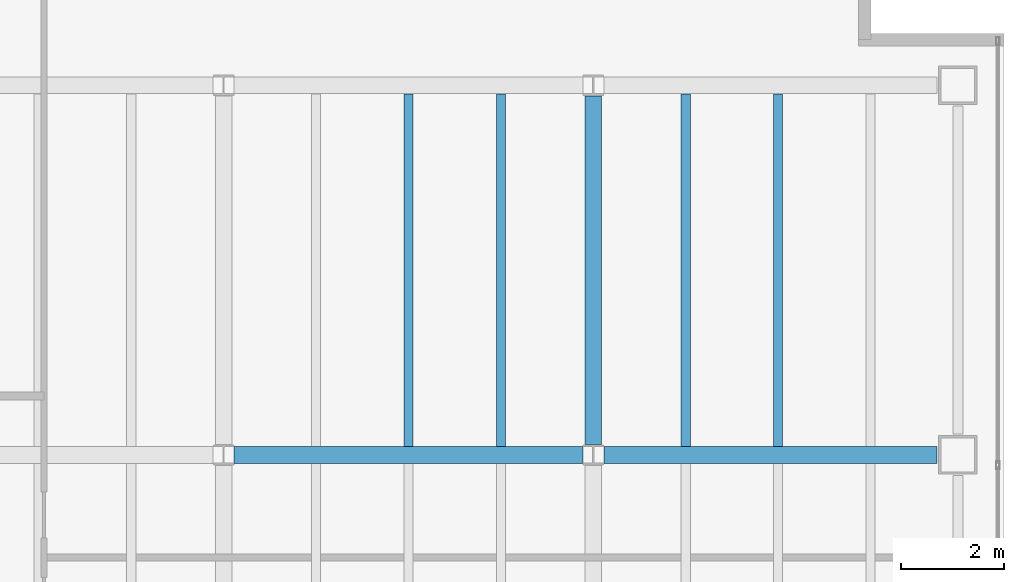
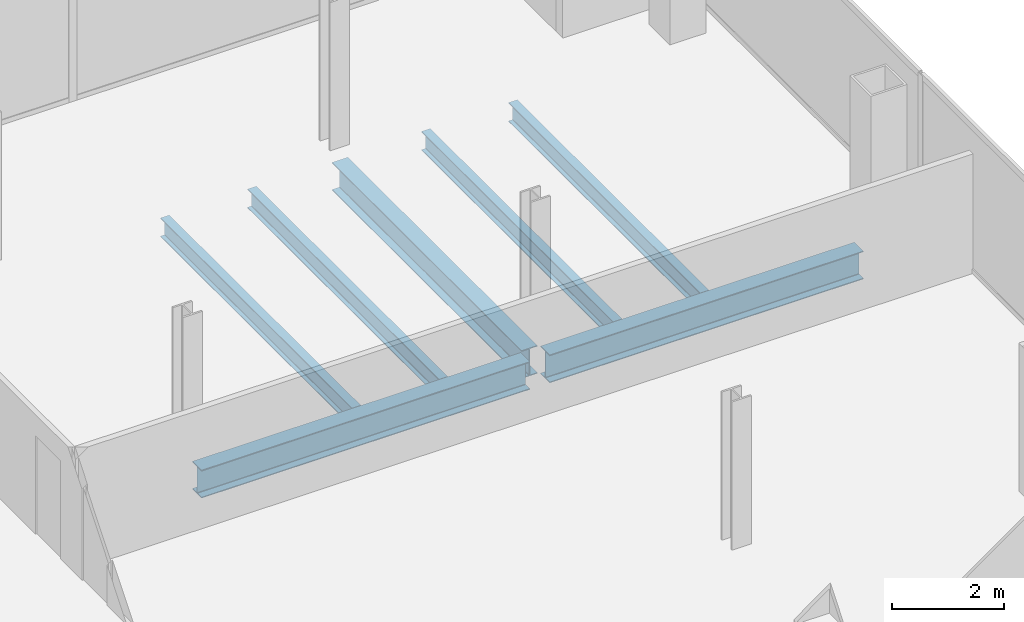
# One storey, part 13 of 23: 7 beams.
"""IFC4 building model written with IfcOpenShell, lengths in metres."""

from ifc_helpers import new_model, si_unit, direction, frame, origin, origin_2d, place, context, subcontext, project, spatial, i_section, extrude, material, material_profile, profile_set, type_object, element, save


model = new_model("IFC4")

# Units and contexts
model_context = context("Model", 3, precision=1e-05, world=origin(), true_north=direction((0.0, 1.0)))
body_context = subcontext(model_context, "Body", "Model", "MODEL_VIEW")
ifc_project = project(units=[si_unit("LENGTHUNIT", "METRE"), si_unit("AREAUNIT", "SQUARE_METRE"), si_unit("VOLUMEUNIT", "CUBIC_METRE"), si_unit("PLANEANGLEUNIT", "RADIAN"), si_unit("MASSUNIT", "GRAM", prefix="KILO")], contexts=[model_context])

# Site, building, storey
site_placement = place(None, origin())
site = spatial("IfcSite", under=ifc_project, at=site_placement, CompositionType="ELEMENT")
building_placement = place(site_placement, origin())
building = spatial("IfcBuilding", under=site, at=building_placement, Name="Cobrela Telecom Tower", CompositionType="ELEMENT")
storey_placement = place(building_placement, frame((0.0, 0.0, 201.25)))
storey = spatial("IfcBuildingStorey", under=building, at=storey_placement, Name="L51", CompositionType="ELEMENT", Elevation=201.25)

# Beams
ifc_material = material(Name="Steel ASTM A992 Grade 50", Category="steel")
ifc_material_profile_1 = material_profile(ifc_material, i_section(OverallWidth=0.324951171875, OverallDepth=0.612060546875, WebThickness=0.0126953125, FlangeThickness=0.01904296875, FilletRadius=0.014892578125, at=origin_2d()), Name="W24X104")
ifc_profile_set_1 = profile_set([ifc_material_profile_1], Name="Steel ASTM A992 Grade 50")
beam_type_1 = type_object("IfcBeamType", Name="BM-GIRD-07", PredefinedType="USERDEFINED", material=ifc_profile_set_1)
beam_1_placement = place(storey_placement, frame((29.00439453125, 14.39990234375, -0.56591796875), z_axis=(1.0, 0.0, 0.0), x_axis=(0.0, 1.0, 0.0)))
element("IfcBeam", 1, at=beam_1_placement, inside=storey, type_object=beam_type_1, Name="L51 Primary Girder X13", ObjectType="GIRDER", PredefinedType="USERDEFINED", context=body_context, shape_type="SweptSolid", body=[
    extrude(i_section(OverallWidth=0.324951171875, OverallDepth=0.612060546875, WebThickness=0.0126953125, FlangeThickness=0.01904296875, FilletRadius=0.014892578125, at=origin_2d()), origin(), (0.0, 0.0, 1.0), 6.791015625),
])
beam_2_placement = place(storey_placement, frame((36.20458984375, 14.39990234375, -0.56591796875), z_axis=(1.0, 0.0, 0.0), x_axis=(0.0, 1.0, 0.0)))
element("IfcBeam", 2, at=beam_2_placement, inside=storey, type_object=beam_type_1, Name="L51 Primary Girder X14", ObjectType="GIRDER", PredefinedType="USERDEFINED", context=body_context, shape_type="SweptSolid", body=[
    extrude(i_section(OverallWidth=0.324951171875, OverallDepth=0.612060546875, WebThickness=0.0126953125, FlangeThickness=0.01904296875, FilletRadius=0.014892578125, at=origin_2d()), origin(), (0.0, 0.0, 1.0), 6.490478515625),
])
beam_3_placement = place(storey_placement, frame((36.0, 14.6044921875, -0.56591796875), z_axis=(0.0, 1.0, 0.0), x_axis=(-1.0, 0.0, 0.0)))
element("IfcBeam", 3, at=beam_3_placement, inside=storey, type_object=beam_type_1, Name="L51 Primary Girder Y41", ObjectType="GIRDER", PredefinedType="USERDEFINED", context=body_context, shape_type="SweptSolid", body=[
    extrude(i_section(OverallWidth=0.324951171875, OverallDepth=0.612060546875, WebThickness=0.0126953125, FlangeThickness=0.01904296875, FilletRadius=0.014892578125, at=origin_2d()), origin(), (0.0, 0.0, 1.0), 6.791015625),
])
ifc_material_profile_2 = material_profile(ifc_material, i_section(OverallWidth=0.179931640625, OverallDepth=0.4169921875, WebThickness=0.010986328125, FlangeThickness=0.01806640625, FilletRadius=0.011962890625, at=origin_2d()), Name="W16X57")
ifc_profile_set_2 = profile_set([ifc_material_profile_2], Name="Steel ASTM A992 Grade 50")
beam_type_2 = type_object("IfcBeamType", Name="BM-JOIST-04", PredefinedType="JOIST", material=ifc_profile_set_2)
for number, where, z_axis, x_axis, name in (
    (4, (32.39990234375, 14.5673828125, -0.468505859375), (0.0, 1.0, 0.0), (-1.0, 0.0, 0.0), "L51 Secondary Composite Floor Beam J22"),
    (5, (34.199951171875, 14.5673828125, -0.468505859375), (0.0, 1.0, 0.0), (-1.0, 0.0, 0.0), "L51 Secondary Composite Floor Beam J24"),
    (6, (37.800048828125, 14.5673828125, -0.468505859375), (0.0, 1.0, 0.0), (-1.0, 0.0, 0.0), "L51 Secondary Composite Floor Beam J26"),
    (7, (39.60009765625, 14.5673828125, -0.468505859375), (0.0, 1.0, 0.0), (-1.0, 0.0, 0.0), "L51 Secondary Composite Floor Beam J28"),
):
    element("IfcBeam", number, at=place(storey_placement, frame(where, z_axis=z_axis, x_axis=x_axis)), inside=storey, type_object=beam_type_2, Name=name, PredefinedType="JOIST", context=body_context, shape_type="SweptSolid", body=[
        extrude(i_section(OverallWidth=0.179931640625, OverallDepth=0.4169921875, WebThickness=0.010986328125, FlangeThickness=0.01806640625, FilletRadius=0.011962890625, at=origin_2d()), origin(), (0.0, 0.0, 1.0), 6.865234375),
    ])

save(model, "model.ifc")
